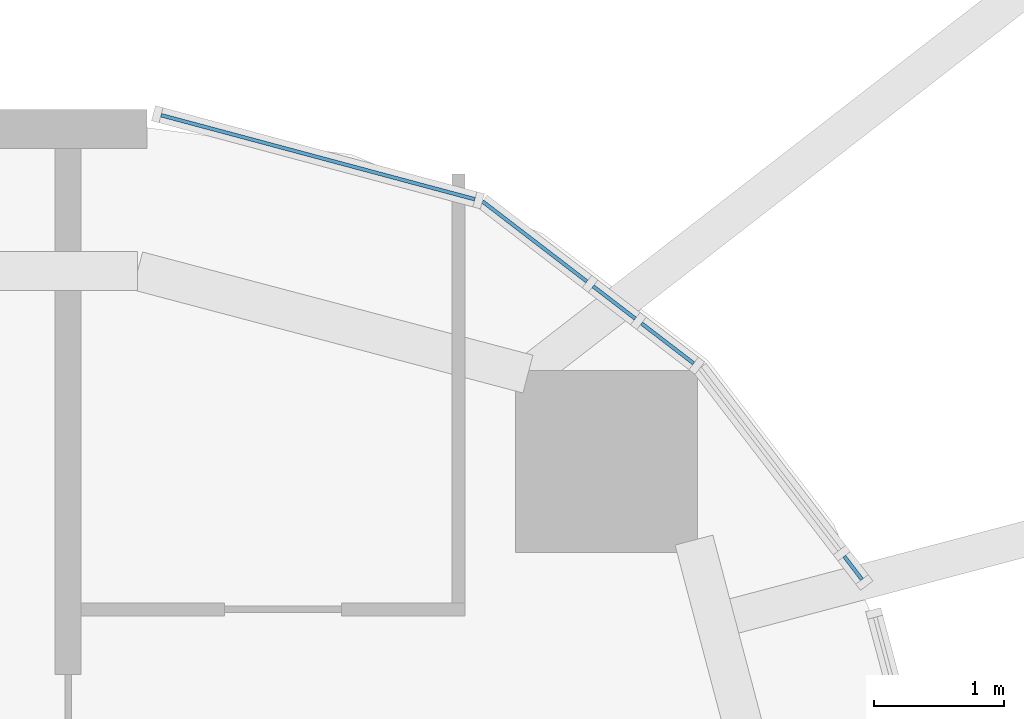
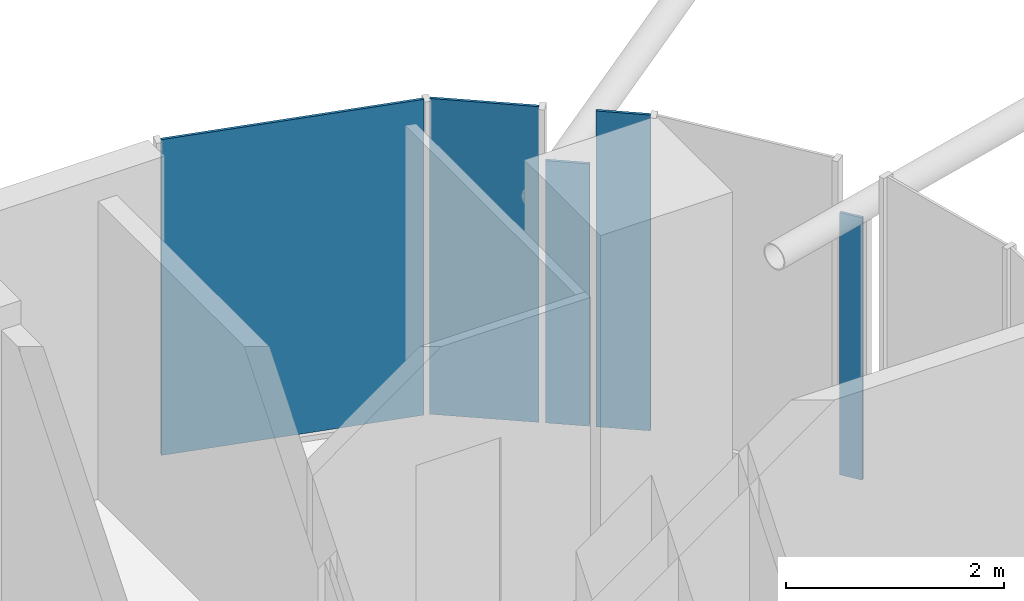
# One storey, part 22 of 31: 5 plates, 5 elements without a shape of their own.
"""IFC4 building model written with IfcOpenShell, lengths in metres."""

from ifc_helpers import new_model, si_unit, direction, frame, origin, origin_2d, place, context, subcontext, project, spatial, rectangle, extrude, material, layer, layer_set, type_object, element, aggregate, save


model = new_model("IFC4")

# Units and contexts
model_context = context("Model", 3, precision=1e-05, world=origin(), true_north=direction((0.0, 1.0)))
body_context = subcontext(model_context, "Body", "Model", "MODEL_VIEW")
ifc_project = project(units=[si_unit("LENGTHUNIT", "METRE"), si_unit("AREAUNIT", "SQUARE_METRE"), si_unit("VOLUMEUNIT", "CUBIC_METRE"), si_unit("PLANEANGLEUNIT", "RADIAN"), si_unit("MASSUNIT", "GRAM", prefix="KILO")], contexts=[model_context])

# Site, building, storey
site_placement = place(None, origin())
site = spatial("IfcSite", under=ifc_project, at=site_placement, CompositionType="ELEMENT")
building_placement = place(site_placement, origin())
building = spatial("IfcBuilding", under=site, at=building_placement, Name="Marenta Gate Hotel Tower", CompositionType="ELEMENT")
storey_placement = place(building_placement, frame((0.0, 0.0, 220.10009765625)))
storey = spatial("IfcBuildingStorey", under=building, at=storey_placement, Name="L51", CompositionType="ELEMENT", Elevation=220.10009765625)

# Curtain wall, plate
ifc_material_1 = material(Name="Tinted insulated glass in bronze anodised frame", Category="glass")
ifc_layer_1 = layer(ifc_material_1, 0.1201171875)
ifc_layer_set_1 = layer_set([ifc_layer_1], Name="Tinted insulated glass in bronze anodised frame")
curtain_wall_type = type_object("IfcCurtainWallType", Name="Tower unitised curtain wall CW1", PredefinedType="NOTDEFINED", material=ifc_layer_set_1)
curtain_wall_1_placement = place(storey_placement, origin())
curtain_wall_1 = element("IfcCurtainWall", 1, at=curtain_wall_1_placement, inside=storey, type_object=curtain_wall_type, Name="CW1 run G36", PredefinedType="NOTDEFINED")
ifc_material_2 = material(Name="Tinted insulated glass", Category="glass")
ifc_layer_2 = layer(ifc_material_2, 0.028076171875)
ifc_layer_set_2 = layer_set([ifc_layer_2], Name="Tinted insulated glass")
plate_type = type_object("IfcPlateType", Name="Glass panel CW1 28 mm tinted insulated unit", PredefinedType="CURTAIN_PANEL", material=ifc_layer_set_2)
plate_1_placement = place(storey_placement, frame((24.62939453125, 19.118896484375, 0.06005859375), z_axis=(0.0, 0.0, 1.0), x_axis=(-0.608808478087, 0.793317236047, 0.0)))
plate_1 = element("IfcPlate", 2, at=plate_1_placement, type_object=plate_type, Name="CW1 panel 1.1", PredefinedType="CURTAIN_PANEL", context=body_context, shape_type="SweptSolid", body=[
    extrude(rectangle(XDim=0.22412109375, YDim=0.028076171875, at=origin_2d()), origin(), (0.0, 0.0, 1.0), 2.9404296875),
])
aggregate(curtain_wall_1, [plate_1])

curtain_wall_2_placement = place(storey_placement, origin())
curtain_wall_2 = element("IfcCurtainWall", 3, at=curtain_wall_2_placement, inside=storey, type_object=curtain_wall_type, Name="CW1 run G38", PredefinedType="NOTDEFINED")
plate_2_placement = place(storey_placement, frame((23.20458984375, 20.843017578125, 0.059814453125), z_axis=(0.0, 0.0, 1.0), x_axis=(-0.793347091368, 0.608769572677, 0.0)))
plate_2 = element("IfcPlate", 4, at=plate_2_placement, type_object=plate_type, Name="CW1 panel 1.1", PredefinedType="CURTAIN_PANEL", context=body_context, shape_type="SweptSolid", body=[
    extrude(rectangle(XDim=0.505126953125, YDim=0.028076171875, at=origin_2d()), origin(), (0.0, 0.0, 1.0), 3.5400390625),
])
aggregate(curtain_wall_2, [plate_2])

curtain_wall_3_placement = place(storey_placement, origin())
curtain_wall_3 = element("IfcCurtainWall", 5, at=curtain_wall_3_placement, inside=storey, type_object=curtain_wall_type, Name="CW1 run G39", PredefinedType="NOTDEFINED")
plate_3_placement = place(storey_placement, frame((22.794677734375, 21.157470703125, 0.06005859375), z_axis=(0.0, 0.0, 1.0), x_axis=(-0.793290143052, 0.608843780404, 0.0)))
plate_3 = element("IfcPlate", 6, at=plate_3_placement, type_object=plate_type, Name="CW1 panel 1.1", PredefinedType="CURTAIN_PANEL", context=body_context, shape_type="SweptSolid", body=[
    extrude(rectangle(XDim=0.408447265625, YDim=0.028076171875, at=origin_2d()), origin(), (0.0, 0.0, 1.0), 2.9404296875),
])
aggregate(curtain_wall_3, [plate_3])

curtain_wall_4_placement = place(storey_placement, origin())
curtain_wall_4 = element("IfcCurtainWall", 7, at=curtain_wall_4_placement, inside=storey, type_object=curtain_wall_type, Name="CW1 run G40", PredefinedType="NOTDEFINED")
plate_4_placement = place(storey_placement, frame((22.183837890625, 21.626220703125, 0.059814453125), z_axis=(0.0, 0.0, 1.0), x_axis=(-0.793344960162, 0.60877235005, 0.0)))
plate_4 = element("IfcPlate", 8, at=plate_4_placement, type_object=plate_type, Name="CW1 panel 1.1", PredefinedType="CURTAIN_PANEL", context=body_context, shape_type="SweptSolid", body=[
    extrude(rectangle(XDim=1.01171875, YDim=0.028076171875, at=origin_2d()), origin(), (0.0, 0.0, 1.0), 3.5400390625),
])
aggregate(curtain_wall_4, [plate_4])

curtain_wall_5_placement = place(storey_placement, origin())
curtain_wall_5 = element("IfcCurtainWall", 9, at=curtain_wall_5_placement, inside=storey, type_object=curtain_wall_type, Name="CW1 run G41", PredefinedType="NOTDEFINED")
plate_5_placement = place(storey_placement, frame((20.51953125, 22.272705078125, 0.059814453125), z_axis=(0.0, 0.0, 1.0), x_axis=(-0.96592961764, 0.258804895175, 0.0)))
plate_5 = element("IfcPlate", 10, at=plate_5_placement, type_object=plate_type, Name="CW1 panel 1.1", PredefinedType="CURTAIN_PANEL", context=body_context, shape_type="SweptSolid", body=[
    extrude(rectangle(XDim=2.4951171875, YDim=0.028076171875, at=origin_2d()), origin(), (0.0, 0.0, 1.0), 3.5400390625),
])
aggregate(curtain_wall_5, [plate_5])

save(model, "model.ifc")
